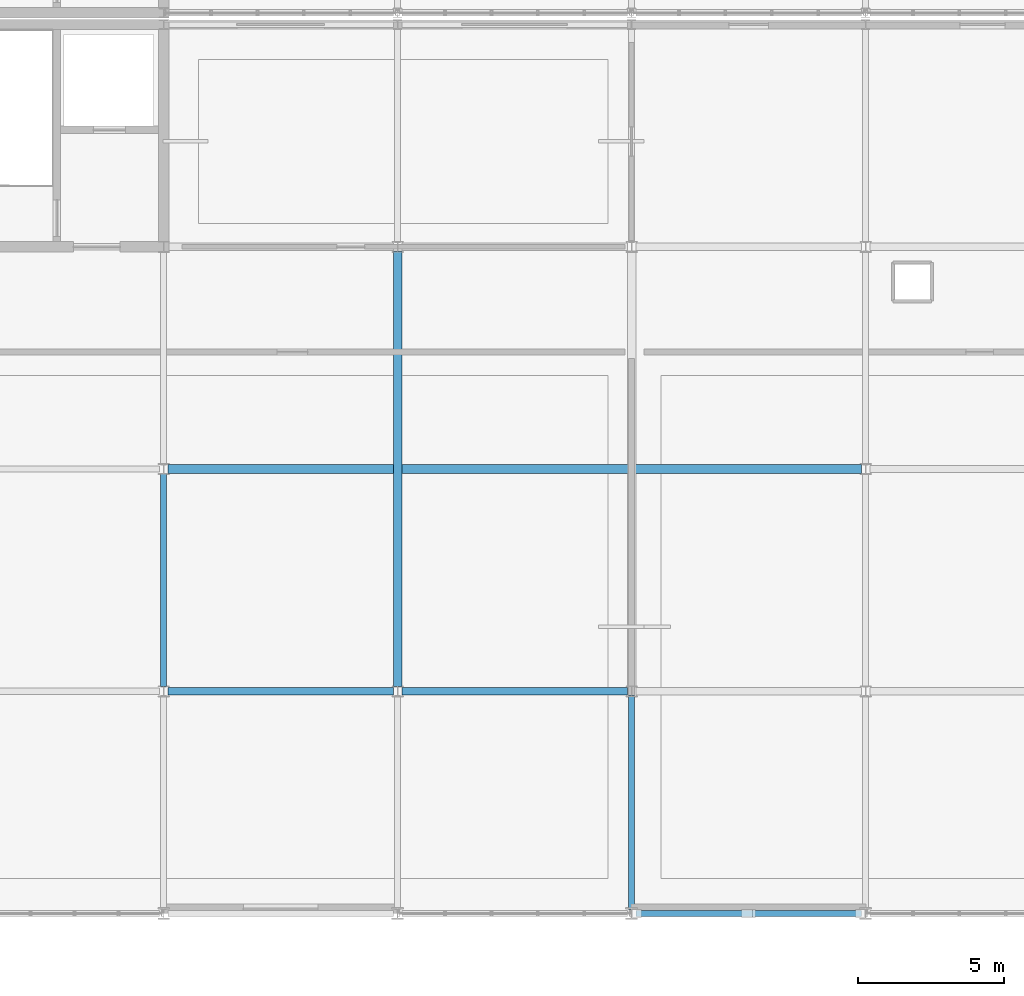
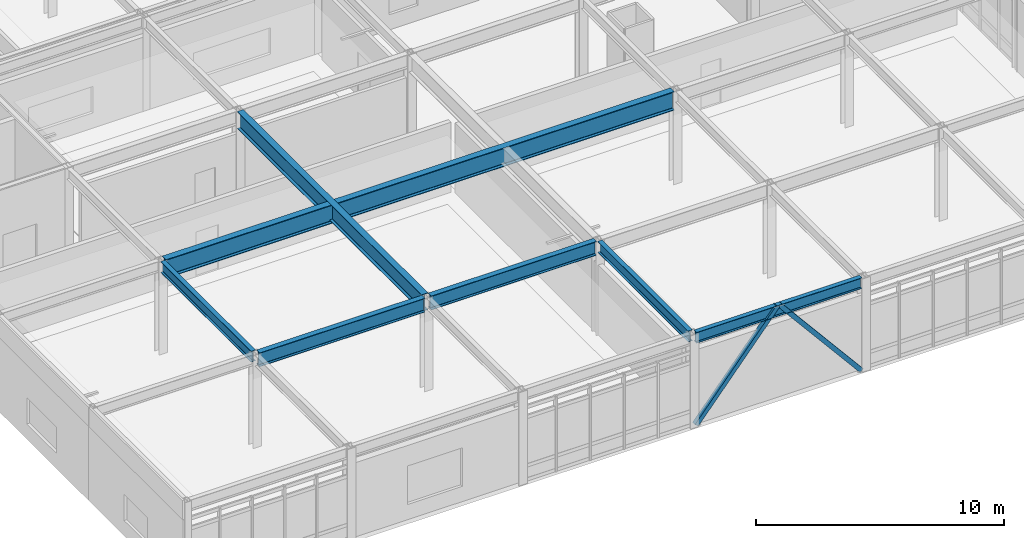
# One storey, part 58 of 104: 7 beams, 2 members.
"""IFC4 building model written with IfcOpenShell, lengths in metres."""

import ifcopenshell
import ifcopenshell.guid

model = None  # the IFC model being written
_history = None  # IfcOwnerHistory: only IFC2X3 demands one
_inside = {}  # id of a spatial element -> (the spatial element, [elements in it])
_under = {}  # id of a project, library or spatial element -> (it, [spatial elements below it])
_declared = {}  # id of a project -> (the project, [libraries it declares])
_typed = {}  # id of a type object -> (the type object, [elements of that type])
_made_of = {}  # id of a material, layer set ... -> (it, [elements and type objects made of it])


def new_model(schema):
    """Start an empty IFC model of exactly this schema.

    Asked for "IFC4X3", IfcOpenShell would pick the latest addendum, in which some entities
    have other attributes; the version numbers below select the first issue.
    IFC2X3 requires an IfcOwnerHistory on every rooted entity: one is made here for all.
    """
    global model, _history
    if schema == "IFC4X3":
        model = ifcopenshell.file(schema_version=(4, 3, 0, 0))
    else:
        model = ifcopenshell.file(schema=schema)
    _inside.clear()
    _under.clear()
    _declared.clear()
    _typed.clear()
    _made_of.clear()
    _history = None
    if model.schema == "IFC2X3":
        org = make("IfcOrganization", Name="unknown")
        user = make(
            "IfcPersonAndOrganization",
            ThePerson=make("IfcPerson", FamilyName="unknown"),
            TheOrganization=org,
        )
        app = make(
            "IfcApplication",
            ApplicationDeveloper=org,
            Version="unknown",
            ApplicationFullName="unknown",
            ApplicationIdentifier="unknown",
        )
        _history = make(
            "IfcOwnerHistory",
            OwningUser=user,
            OwningApplication=app,
            ChangeAction="ADDED",
            CreationDate=0,
        )
    return model


def make(cls, **values):
    """One entity of the class cls with the attributes given. An attribute that is None is left unset."""
    return model.create_entity(
        cls, **{name: value for name, value in values.items() if value is not None}
    )


def rooted(cls, **values):
    """An entity with a GlobalId (a new one), such as an element, a storey or a relation."""
    return make(cls, GlobalId=ifcopenshell.guid.new(), OwnerHistory=_history, **values)


def si_unit(unit_type, name, prefix=None):
    """IfcSIUnit, for example si_unit("LENGTHUNIT", "METRE", prefix="MILLI")."""
    return make("IfcSIUnit", UnitType=unit_type, Prefix=prefix, Name=name)


def assignment(units):
    """IfcUnitAssignment: the units of a project."""
    return None if units is None else make("IfcUnitAssignment", Units=units)


def point(xyz):
    """IfcCartesianPoint."""
    return None if xyz is None else make("IfcCartesianPoint", Coordinates=xyz)


def direction(xyz):
    """IfcDirection."""
    return None if xyz is None else make("IfcDirection", DirectionRatios=xyz)


def frame(location, z_axis=None, x_axis=None):
    """IfcAxis2Placement3D, a coordinate frame: its origin and axes. An axis left out is left unset."""
    return make(
        "IfcAxis2Placement3D",
        Location=point(location),
        Axis=direction(z_axis),
        RefDirection=direction(x_axis),
    )


def frame_2d(location, x_axis=None):
    """IfcAxis2Placement2D, a coordinate frame in the plane: its origin and x axis."""
    return make(
        "IfcAxis2Placement2D", Location=point(location), RefDirection=direction(x_axis)
    )


def origin():
    """The frame at (0, 0, 0) with its axes left unset."""
    return frame((0.0, 0.0, 0.0))


def origin_2d():
    """The frame at (0, 0) in the plane with its x axis left unset."""
    return frame_2d((0.0, 0.0))


def place(relative_to, where):
    """IfcLocalPlacement: puts the frame where relative to a parent placement (None: the world)."""
    return make(
        "IfcLocalPlacement", PlacementRelTo=relative_to, RelativePlacement=where
    )


def context(
    kind, dimensions, precision=None, world=None, true_north=None, identifier=None
):
    """IfcGeometricRepresentationContext, for example the 3D "Model" context."""
    return make(
        "IfcGeometricRepresentationContext",
        ContextIdentifier=identifier,
        ContextType=kind,
        CoordinateSpaceDimension=dimensions,
        Precision=precision,
        WorldCoordinateSystem=world,
        TrueNorth=true_north,
    )


def subcontext(parent, identifier, kind, view, scale=None):
    """IfcGeometricRepresentationSubContext, for example "Body" below "Model"."""
    return make(
        "IfcGeometricRepresentationSubContext",
        ContextIdentifier=identifier,
        ContextType=kind,
        ParentContext=parent,
        TargetScale=scale,
        TargetView=view,
    )


def project(units=None, contexts=None):
    """IfcProject with its units and contexts."""
    return rooted(
        "IfcProject",
        Name="project",
        RepresentationContexts=contexts,
        UnitsInContext=assignment(units),
    )


def spatial(cls, under=None, at=None, **own):
    """A site, building, storey or space (cls), placed at a placement, below another one or the project."""
    s = rooted(cls, ObjectPlacement=at, **own)
    if under is not None:
        _under.setdefault(under.id(), (under, []))[1].append(s)
    return s


def profile(cls, at=None, kind="AREA", **sizes):
    """A parametric profile (cls). Its sizes go by their IFC names, for example OverallWidth=200.0."""
    return make(cls, ProfileType=kind, Position=at, **sizes)


def hollow_rectangle(**sizes):
    """IfcRectangleHollowProfileDef."""
    return profile("IfcRectangleHollowProfileDef", **sizes)


def i_section(**sizes):
    """IfcIShapeProfileDef."""
    return profile("IfcIShapeProfileDef", **sizes)


def extrude(swept, where, along, depth):
    """IfcExtrudedAreaSolid: the profile swept, set in the frame where, extruded along a direction by depth."""
    return make(
        "IfcExtrudedAreaSolid",
        SweptArea=swept,
        Position=where,
        ExtrudedDirection=direction(along),
        Depth=depth,
    )


def shape(context_of_items, identifier, shape_type, items):
    """IfcShapeRepresentation: the items that make up one representation, for example the "Body"."""
    return make(
        "IfcShapeRepresentation",
        ContextOfItems=context_of_items,
        RepresentationIdentifier=identifier,
        RepresentationType=shape_type,
        Items=items,
    )


def material(Name=None, Category=None):
    """IfcMaterial."""
    return make("IfcMaterial", Name=Name, Category=Category)


def material_profile(
    of_material, cross_section, Name=None, Category=None, Priority=None
):
    """IfcMaterialProfile: a cross section and its material."""
    return make(
        "IfcMaterialProfile",
        Name=Name,
        Material=of_material,
        Profile=cross_section,
        Priority=Priority,
        Category=Category,
    )


def profile_set(profiles, Name=None, composite=None):
    """IfcMaterialProfileSet."""
    return make(
        "IfcMaterialProfileSet",
        Name=Name,
        MaterialProfiles=profiles,
        CompositeProfile=composite,
    )


def made_of(thing, what):
    """Note that an element or type object is made of a material, layer set ...; save() writes the relation."""
    if what is not None:
        _made_of.setdefault(what.id(), (what, []))[1].append(thing)
    return thing


def type_object(cls, material=None, **own):
    """A type object (cls), such as IfcWallType, which elements share."""
    return made_of(rooted(cls, **own), material)


def element(
    cls,
    number,
    at=None,
    inside=None,
    cuts=None,
    type_object=None,
    material=None,
    context=None,
    identifier="Body",
    shape_type=None,
    held_by="IfcProductDefinitionShape",
    body=None,
    shapes=None,
    **own,
):
    """One element of the class cls, such as IfcWall. Its Tag is "e" and its number.

    at: its placement. inside: the storey or other place that contains it. cuts: it is an
    opening in that element (IfcRelVoidsElement). A single representation is given by context,
    identifier, shape_type and body (its items); several are given by shapes. held_by: the class
    of the entity that holds the representations. save() writes the other relations.
    """
    e = rooted(cls, Tag="e%d" % number, ObjectPlacement=at, **own)
    if body is not None:
        shapes = [shape(context, identifier, shape_type, body)]
    if shapes is not None:
        e.Representation = make(held_by, Representations=shapes)
    if inside is not None:
        _inside.setdefault(inside.id(), (inside, []))[1].append(e)
    if cuts is not None:
        rooted(
            "IfcRelVoidsElement", RelatingBuildingElement=cuts, RelatedOpeningElement=e
        )
    if type_object is not None:
        _typed.setdefault(type_object.id(), (type_object, []))[1].append(e)
    return made_of(e, material)


def aggregate(whole, parts):
    """IfcRelAggregates: a whole, such as a stair, and the parts it consists of."""
    return rooted("IfcRelAggregates", RelatingObject=whole, RelatedObjects=parts)


def save(model, path):
    """Write the relations noted so far, then the file.

    IfcRelAggregates (storeys below a building ...), IfcRelContainedInSpatialStructure (elements
    in a storey), IfcRelDefinesByType, IfcRelAssociatesMaterial and IfcRelDeclares: one each for
    every whole, place, type object, material and project.
    """
    for whole, parts in _under.values():
        aggregate(whole, parts)
    for where, things in _inside.values():
        rooted(
            "IfcRelContainedInSpatialStructure",
            RelatedElements=things,
            RelatingStructure=where,
        )
    for kind, things in _typed.values():
        rooted("IfcRelDefinesByType", RelatedObjects=things, RelatingType=kind)
    for what, things in _made_of.values():
        rooted("IfcRelAssociatesMaterial", RelatedObjects=things, RelatingMaterial=what)
    for by, libraries in _declared.values():
        rooted("IfcRelDeclares", RelatingContext=by, RelatedDefinitions=libraries)
    model.write(path)


model = new_model("IFC4")

# Units and contexts
model_context = context("Model", 3, precision=1e-05, world=origin(), true_north=direction((0.0, 1.0)))
body_context = subcontext(model_context, "Body", "Model", "MODEL_VIEW")
ifc_project = project(units=[si_unit("LENGTHUNIT", "METRE"), si_unit("AREAUNIT", "SQUARE_METRE"), si_unit("VOLUMEUNIT", "CUBIC_METRE"), si_unit("PLANEANGLEUNIT", "RADIAN"), si_unit("MASSUNIT", "GRAM", prefix="KILO")], contexts=[model_context])

# Site, building, storey
site_placement = place(None, origin())
site = spatial("IfcSite", under=ifc_project, at=site_placement, CompositionType="ELEMENT")
building_placement = place(site_placement, origin())
building = spatial("IfcBuilding", under=site, at=building_placement, Name="Zulena Civic Courthouse", CompositionType="ELEMENT")
storey_placement = place(building_placement, frame((0.0, 0.0, 15.60009765625)))
storey = spatial("IfcBuildingStorey", under=building, at=storey_placement, Name="L03", CompositionType="ELEMENT", Elevation=15.60009765625)

# Members
ifc_material_1 = material(Name="Steel ASTM A500 Grade C", Category="steel")
ifc_material_profile_1 = material_profile(ifc_material_1, hollow_rectangle(XDim=0.202880859375, YDim=0.202880859375, WallThickness=0.01171875, at=origin_2d()), Name="HSS8X8X1/2")
ifc_profile_set_1 = profile_set([ifc_material_profile_1], Name="Steel ASTM A500 Grade C")
member_type = type_object("IfcMemberType", Name="Brace_HSS8", PredefinedType="BRACE", material=ifc_profile_set_1)
for number, where, z_axis, x_axis, name in (
    (1, (148.14990234375, 0.0, 0.010009765625), (0.641034700676, 0.0, 0.767511897321), (0.0, 1.0, 0.0), "brace:V1:L03:2:0"),
    (2, (155.85009765625, 0.0, 0.010009765625), (-0.641034700676, 0.0, 0.767511897321), (0.0, -1.0, 0.0), "brace:V1:L03:2:1"),
):
    element("IfcMember", number, at=place(storey_placement, frame(where, z_axis=z_axis, x_axis=x_axis)), inside=storey, type_object=member_type, Name=name, PredefinedType="BRACE", context=body_context, shape_type="SweptSolid", body=[
        extrude(hollow_rectangle(XDim=0.202880859375, YDim=0.202880859375, WallThickness=0.01171875, at=origin_2d()), origin(), (0.0, 0.0, 1.0), 5.927978515625),
    ])

# Beams
ifc_material_2 = material(Name="Steel ASTM A992 Grade 50", Category="steel")
ifc_material_profile_2 = material_profile(ifc_material_2, i_section(OverallWidth=0.2099609375, OverallDepth=0.537109375, WebThickness=0.010986328125, FlangeThickness=0.017333984375, FilletRadius=0.0126953125, at=origin_2d()), Name="W21X68")
ifc_profile_set_2 = profile_set([ifc_material_profile_2], Name="Steel ASTM A992 Grade 50")
beam_type_1 = type_object("IfcBeamType", Name="Girder_W21X68", PredefinedType="BEAM", material=ifc_profile_set_2)
beam_1_placement = place(storey_placement, frame((132.0, 7.7451171875, 4.326416015625), z_axis=(0.0, 1.0, 0.0), x_axis=(-1.0, 0.0, 0.0)))
element("IfcBeam", 3, at=beam_1_placement, inside=storey, type_object=beam_type_1, Name="beam:Y:V1:L03:132.0:7.6_15.2", PredefinedType="BEAM", context=body_context, shape_type="SweptSolid", body=[
    extrude(i_section(OverallWidth=0.2099609375, OverallDepth=0.537109375, WebThickness=0.010986328125, FlangeThickness=0.017333984375, FilletRadius=0.0126953125, at=origin_2d()), origin(), (0.0, 0.0, 1.0), 7.309814453125),
])
ifc_material_profile_3 = material_profile(ifc_material_2, i_section(OverallWidth=0.25390625, OverallDepth=0.68798828125, WebThickness=0.01318359375, FlangeThickness=0.02099609375, FilletRadius=0.0166015625, at=origin_2d()), Name="W27X102")
ifc_profile_set_3 = profile_set([ifc_material_profile_3], Name="Steel ASTM A992 Grade 50")
beam_type_2 = type_object("IfcBeamType", Name="Girder_W27X102", PredefinedType="BEAM", material=ifc_profile_set_3)
for number, where, z_axis, x_axis, name in (
    (4, (132.14501953125, 7.60009765625, 4.2509765625), (1.0, 0.0, 0.0), (0.0, 1.0, 0.0), "beam:X:V1:L03:7.6:132.0_140.0"),
    (5, (140.14501953125, 7.60009765625, 4.2509765625), (1.0, 0.0, 0.0), (0.0, 1.0, 0.0), "beam:X:V1:L03:7.6:140.0_148.0"),
):
    element("IfcBeam", number, at=place(storey_placement, frame(where, z_axis=z_axis, x_axis=x_axis)), inside=storey, type_object=beam_type_2, Name=name, PredefinedType="BEAM", context=body_context, shape_type="SweptSolid", body=[
        extrude(i_section(OverallWidth=0.25390625, OverallDepth=0.68798828125, WebThickness=0.01318359375, FlangeThickness=0.02099609375, FilletRadius=0.0166015625, at=origin_2d()), origin(), (0.0, 0.0, 1.0), 7.7099609375),
    ])
ifc_material_profile_4 = material_profile(ifc_material_2, i_section(OverallWidth=0.2919921875, OverallDepth=0.841064453125, WebThickness=0.0146484375, FlangeThickness=0.021728515625, FilletRadius=0.017822265625, at=origin_2d()), Name="W33X130")
ifc_profile_set_4 = profile_set([ifc_material_profile_4], Name="Steel ASTM A992 Grade 50")
beam_type_3 = type_object("IfcBeamType", Name="Girder_W33X130", PredefinedType="BEAM", material=ifc_profile_set_4)
beam_2_placement = place(storey_placement, frame((140.0, 7.7451171875, 4.17431640625), z_axis=(0.0, 1.0, 0.0), x_axis=(-1.0, 0.0, 0.0)))
element("IfcBeam", 6, at=beam_2_placement, inside=storey, type_object=beam_type_3, Name="beam:Y:V1:L03:140.0:7.6_22.8", PredefinedType="BEAM", context=body_context, shape_type="SweptSolid", body=[
    extrude(i_section(OverallWidth=0.2919921875, OverallDepth=0.841064453125, WebThickness=0.0146484375, FlangeThickness=0.021728515625, FilletRadius=0.017822265625, at=origin_2d()), origin(), (0.0, 0.0, 1.0), 14.909912109375),
])
ifc_material_profile_5 = material_profile(ifc_material_2, i_section(OverallWidth=0.306884765625, OverallDepth=0.927001953125, WebThickness=0.019287109375, FlangeThickness=0.031982421875, FilletRadius=0.01904296875, at=origin_2d()), Name="W36X194")
ifc_profile_set_5 = profile_set([ifc_material_profile_5], Name="Steel ASTM A992 Grade 50")
beam_type_4 = type_object("IfcBeamType", Name="Girder_W36X194", PredefinedType="BEAM", material=ifc_profile_set_5)
beam_3_placement = place(storey_placement, frame((132.14501953125, 15.199951171875, 4.13134765625), z_axis=(1.0, 0.0, 0.0), x_axis=(0.0, 1.0, 0.0)))
element("IfcBeam", 7, at=beam_3_placement, inside=storey, type_object=beam_type_4, Name="beam:X:V1:L03:15.2:132.0_156.0", PredefinedType="BEAM", context=body_context, shape_type="SweptSolid", body=[
    extrude(i_section(OverallWidth=0.306884765625, OverallDepth=0.927001953125, WebThickness=0.019287109375, FlangeThickness=0.031982421875, FilletRadius=0.01904296875, at=origin_2d()), origin(), (0.0, 0.0, 1.0), 23.7099609375),
])
ifc_material_profile_6 = material_profile(ifc_material_2, i_section(OverallWidth=0.2099609375, OverallDepth=0.537109375, WebThickness=0.010986328125, FlangeThickness=0.017333984375, FilletRadius=0.0126953125, at=origin_2d()), Name="W21X68")
ifc_profile_set_6 = profile_set([ifc_material_profile_6], Name="Steel ASTM A992 Grade 50")
beam_type_5 = type_object("IfcBeamType", Name="Spandrel_W21X68", PredefinedType="SPANDREL", material=ifc_profile_set_6)
beam_4_placement = place(storey_placement, frame((148.14501953125, 0.0, 4.326416015625), z_axis=(1.0, 0.0, 0.0), x_axis=(0.0, 1.0, 0.0)))
element("IfcBeam", 8, at=beam_4_placement, inside=storey, type_object=beam_type_5, Name="beam:X:V1:L03:0.0:148.0_156.0", PredefinedType="SPANDREL", context=body_context, shape_type="SweptSolid", body=[
    extrude(i_section(OverallWidth=0.2099609375, OverallDepth=0.537109375, WebThickness=0.010986328125, FlangeThickness=0.017333984375, FilletRadius=0.0126953125, at=origin_2d()), origin(), (0.0, 0.0, 1.0), 7.7099609375),
])
beam_5_placement = place(storey_placement, frame((148.0, 0.14501953125, 4.326416015625), z_axis=(0.0, 1.0, 0.0), x_axis=(-1.0, 0.0, 0.0)))
element("IfcBeam", 9, at=beam_5_placement, inside=storey, type_object=beam_type_5, Name="beam:Y:V1:L03:148.0:0.0_7.6", PredefinedType="SPANDREL", context=body_context, shape_type="SweptSolid", body=[
    extrude(i_section(OverallWidth=0.2099609375, OverallDepth=0.537109375, WebThickness=0.010986328125, FlangeThickness=0.017333984375, FilletRadius=0.0126953125, at=origin_2d()), origin(), (0.0, 0.0, 1.0), 7.31005859375),
])

save(model, "model.ifc")
